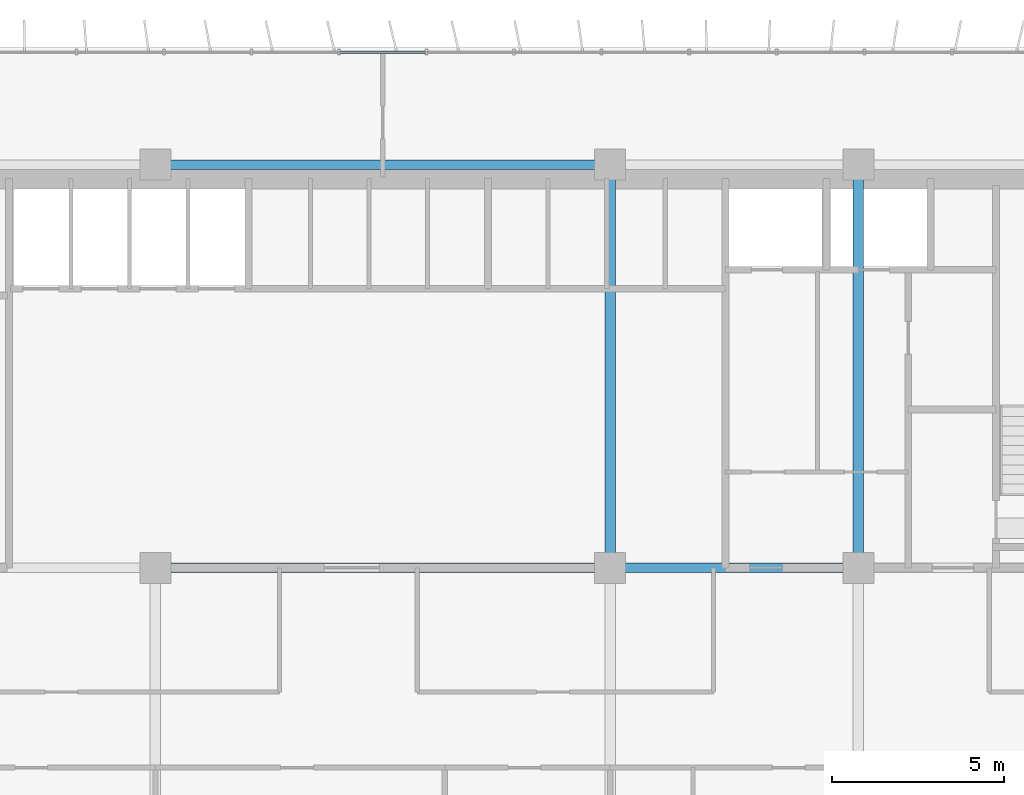
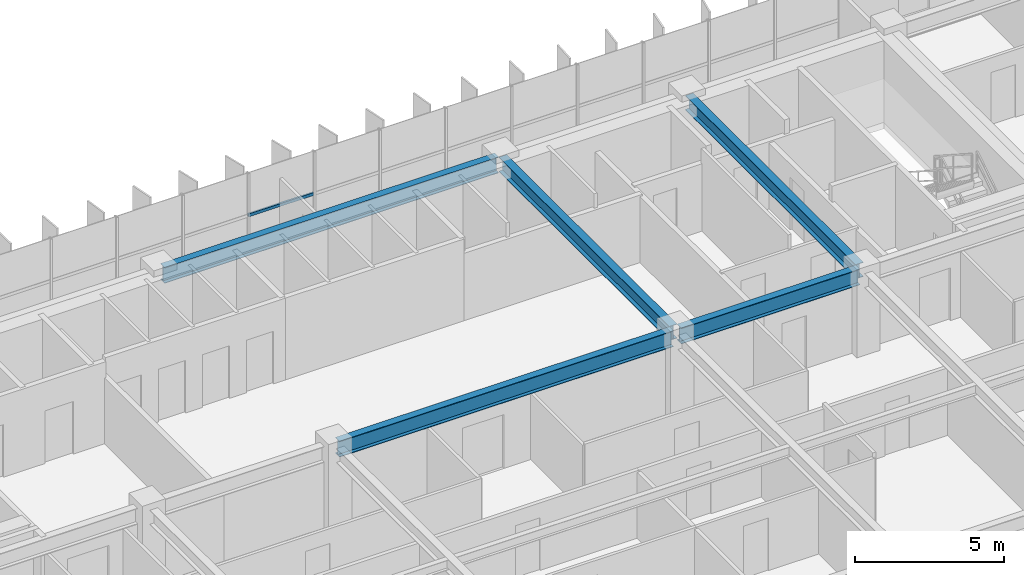
# One storey, part 9 of 22: 5 beams, 1 member, 1 element without a shape of its own.
"""IFC4 building model written with IfcOpenShell, lengths in metres."""

from ifc_helpers import new_model, si_unit, direction, frame, origin, origin_2d, place, context, subcontext, project, spatial, hollow_rectangle, i_section, extrude, source, transform, mapped, material, material_profile, profile_set, type_object, element, aggregate, save


model = new_model("IFC4")

# Units and contexts
model_context = context("Model", 3, precision=1e-05, world=origin(), true_north=direction((0.0, 1.0)))
body_context = subcontext(model_context, "Body", "Model", "MODEL_VIEW")
ifc_project = project(units=[si_unit("LENGTHUNIT", "METRE"), si_unit("AREAUNIT", "SQUARE_METRE"), si_unit("VOLUMEUNIT", "CUBIC_METRE"), si_unit("PLANEANGLEUNIT", "RADIAN"), si_unit("MASSUNIT", "GRAM", prefix="KILO")], contexts=[model_context])

# Site, building, storey
site_placement = place(None, origin())
site = spatial("IfcSite", under=ifc_project, at=site_placement, CompositionType="ELEMENT")
building_placement = place(site_placement, origin())
building = spatial("IfcBuilding", under=site, at=building_placement, Name="Trelvane Seafront Commons", CompositionType="ELEMENT")
storey_placement = place(building_placement, frame((0.0, 0.0, 48.699951171875)))
storey = spatial("IfcBuildingStorey", under=building, at=storey_placement, Name="L12", CompositionType="ELEMENT", Elevation=48.699951171875)

# Beams
ifc_material_1 = material(Name="Steel SM355 (S355)", Category="steel")
ifc_material_profile_1 = material_profile(ifc_material_1, i_section(OverallWidth=0.280029296875, OverallDepth=0.64990234375, WebThickness=0.012939453125, FlangeThickness=0.02197265625, at=origin_2d()), Name="H-650x280x13x22")
ifc_profile_set_1 = profile_set([ifc_material_profile_1], Name="Steel SM355 (S355)")
beam_type_1 = type_object("IfcBeamType", Name="STR-BM-H650", PredefinedType="BEAM", material=ifc_profile_set_1)
shared_shape_1 = source(origin(), body_context, "Body", "SweptSolid", [
    extrude(i_section(OverallWidth=0.280029296875, OverallDepth=0.64990234375, WebThickness=0.012939453125, FlangeThickness=0.02197265625, at=origin_2d()), origin(), (0.0, 0.0, 1.0), 12.89990234375),
])
for number, where, z_axis, x_axis, name in (
    (1, (30.75, 33.39990234375, 3.01513671875), (1.0, 0.0, 0.0), (0.0, 1.0, 0.0), "L12 Primary Girder G-23"),
    (2, (30.75, 45.10009765625, 3.01513671875), (1.0, 0.0, 0.0), (0.0, 1.0, 0.0), "L12 Primary Girder G-32"),
):
    element("IfcBeam", number, at=place(storey_placement, frame(where, z_axis=z_axis, x_axis=x_axis)), inside=storey, type_object=beam_type_1, Name=name, PredefinedType="BEAM", context=body_context, shape_type="MappedRepresentation", body=[
        mapped(shared_shape_1, transform((0.0, 0.0, 0.0), x_axis=(1.0, 0.0, 0.0), y_axis=(0.0, 1.0, 0.0), z_axis=(0.0, 0.0, 1.0), scale=1.0)),
    ])
shared_shape_2 = source(origin(), body_context, "Body", "SweptSolid", [
    extrude(i_section(OverallWidth=0.280029296875, OverallDepth=0.64990234375, WebThickness=0.012939453125, FlangeThickness=0.02197265625, at=origin_2d()), origin(), (0.0, 0.0, 1.0), 6.900146484375),
])
beam_placement = place(storey_placement, frame((43.949951171875, 33.39990234375, 3.01513671875), z_axis=(1.0, 0.0, 0.0), x_axis=(0.0, 1.0, 0.0)))
element("IfcBeam", 3, at=beam_placement, inside=storey, type_object=beam_type_1, Name="L12 Primary Girder G-24", PredefinedType="BEAM", context=body_context, shape_type="MappedRepresentation", body=[
    mapped(shared_shape_2, transform((0.0, 0.0, 0.0), x_axis=(1.0, 0.0, 0.0), y_axis=(0.0, 1.0, 0.0), z_axis=(0.0, 0.0, 1.0), scale=1.0)),
])
ifc_material_profile_2 = material_profile(ifc_material_1, i_section(OverallWidth=0.300048828125, OverallDepth=0.587890625, WebThickness=0.011962890625, FlangeThickness=0.02001953125, at=origin_2d()), Name="H-588x300x12x20")
ifc_profile_set_2 = profile_set([ifc_material_profile_2], Name="Steel SM355 (S355)")
beam_type_2 = type_object("IfcBeamType", Name="STR-BM-H588", PredefinedType="BEAM", material=ifc_profile_set_2)
shared_shape_3 = source(origin(), body_context, "Body", "SweptSolid", [
    extrude(i_section(OverallWidth=0.300048828125, OverallDepth=0.587890625, WebThickness=0.011962890625, FlangeThickness=0.02001953125, at=origin_2d()), origin(), (0.0, 0.0, 1.0), 11.39990234375),
])
for number, where, z_axis, x_axis, name in (
    (4, (43.800048828125, 33.550048828125, 3.046142578125), (0.0, 1.0, 0.0), (-1.0, 0.0, 0.0), "L12 Primary Girder G-54"),
    (5, (51.0, 33.550048828125, 3.046142578125), (0.0, 1.0, 0.0), (-1.0, 0.0, 0.0), "L12 Primary Girder G-57"),
):
    element("IfcBeam", number, at=place(storey_placement, frame(where, z_axis=z_axis, x_axis=x_axis)), inside=storey, type_object=beam_type_2, Name=name, PredefinedType="BEAM", context=body_context, shape_type="MappedRepresentation", body=[
        mapped(shared_shape_3, transform((0.0, 0.0, 0.0), x_axis=(1.0, 0.0, 0.0), y_axis=(0.0, 1.0, 0.0), z_axis=(0.0, 0.0, 1.0), scale=1.0)),
    ])

# Curtain wall, member
ifc_material_2 = material(Name="Anodised pale-silver aluminium", Category="aluminium")
curtain_wall_type = type_object("IfcCurtainWallType", Name="ARCH-CW2-LOWTOWER", PredefinedType="NOTDEFINED", material=ifc_material_2)
curtain_wall_placement = place(storey_placement, origin())
curtain_wall = element("IfcCurtainWall", 6, at=curtain_wall_placement, inside=storey, type_object=curtain_wall_type, Name="CW-L12-0036", PredefinedType="NOTDEFINED")
ifc_material_profile_3 = material_profile(ifc_material_2, hollow_rectangle(XDim=0.070068359375, YDim=0.1201171875, WallThickness=0.00390625, at=origin_2d()), Name="TRAN-70x120x4")
ifc_profile_set_3 = profile_set([ifc_material_profile_3], Name="Anodised pale-silver aluminium")
member_type = type_object("IfcMemberType", Name="ARCH-CW-TRAN-120", PredefinedType="USERDEFINED", material=ifc_profile_set_3)
shared_shape_4 = source(origin(), body_context, "Body", "SweptSolid", [
    extrude(hollow_rectangle(XDim=0.070068359375, YDim=0.1201171875, WallThickness=0.00390625, at=origin_2d()), origin(), (0.0, 0.0, 1.0), 2.51708984375),
])
member_placement = place(storey_placement, frame((35.94140625, 48.3701171875, 1.60302734375), z_axis=(1.0, 0.0, 0.0), x_axis=(0.0, 1.0, 0.0)))
member = element("IfcMember", 7, at=member_placement, type_object=member_type, Name="CW-L12-0036-T08", ObjectType="TRANSOM", PredefinedType="USERDEFINED", context=body_context, shape_type="MappedRepresentation", body=[
    mapped(shared_shape_4, transform((0.0, 0.0, 0.0), x_axis=(1.0, 0.0, 0.0), y_axis=(0.0, 1.0, 0.0), z_axis=(0.0, 0.0, 1.0), scale=1.0)),
])
aggregate(curtain_wall, [member])

save(model, "model.ifc")
